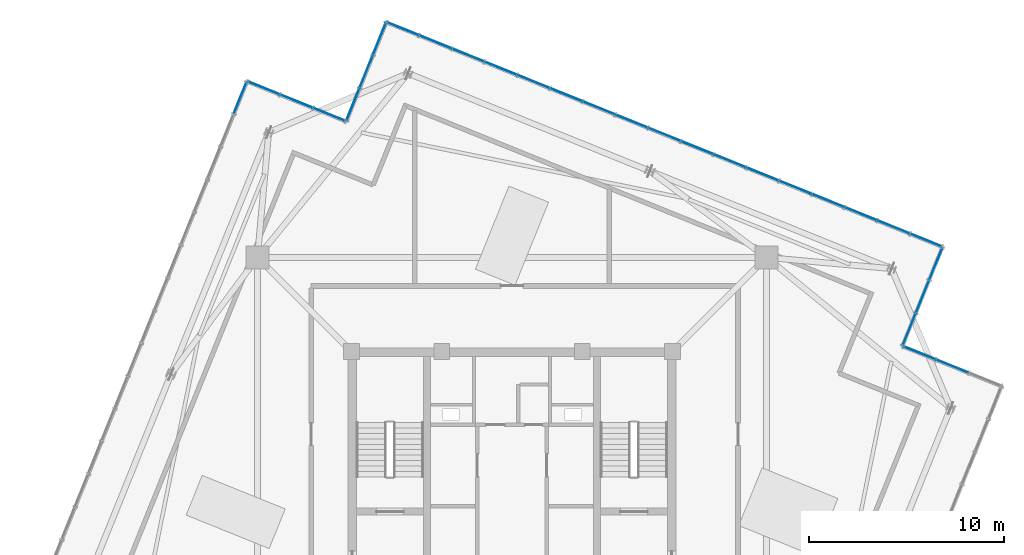
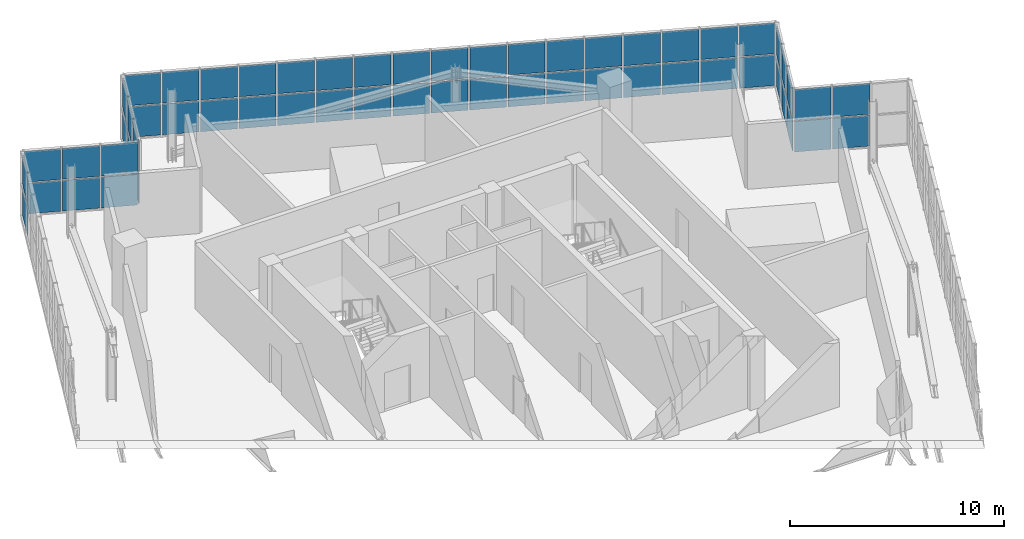
# One storey, part 20 of 26: 58 plates, 6 elements without a shape of their own.
"""IFC4 building model written with IfcOpenShell, lengths in metres."""

from ifc_helpers import new_model, si_unit, direction, frame, origin, origin_2d, place, context, subcontext, project, spatial, rectangle, extrude, source, transform, mapped, material, layer, layer_set, type_object, element, aggregate, save


model = new_model("IFC4")

# Units and contexts
model_context = context("Model", 3, precision=1e-05, world=origin(), true_north=direction((0.0, 1.0)))
body_context = subcontext(model_context, "Body", "Model", "MODEL_VIEW")
ifc_project = project(units=[si_unit("LENGTHUNIT", "METRE"), si_unit("AREAUNIT", "SQUARE_METRE"), si_unit("VOLUMEUNIT", "CUBIC_METRE"), si_unit("PLANEANGLEUNIT", "RADIAN"), si_unit("MASSUNIT", "GRAM", prefix="KILO"), si_unit("THERMODYNAMICTEMPERATUREUNIT", "KELVIN")], contexts=[model_context])

# Site, building, storey
site_placement = place(None, origin())
site = spatial("IfcSite", under=ifc_project, at=site_placement, CompositionType="ELEMENT")
building_placement = place(site_placement, origin())
building = spatial("IfcBuilding", under=site, at=building_placement, Name="Kosmvard Interchange Tower", CompositionType="ELEMENT")
storey_placement = place(building_placement, frame((0.0, 0.0, 329.60009765625)))
storey = spatial("IfcBuildingStorey", under=building, at=storey_placement, Name="L81", CompositionType="ELEMENT", Elevation=329.60009765625)

# Curtain wall, plates
ifc_material_1 = material(Name="Architectural anodised aluminium", Category="aluminium")
ifc_layer_1 = layer(ifc_material_1, 0.25, Name="Architectural anodised aluminium")
ifc_layer_set_1 = layer_set([ifc_layer_1], Name="Architectural anodised aluminium")
curtain_wall_type = type_object("IfcCurtainWallType", Name="CW-6 Illuminated Crown Lantern Curtain Wall", PredefinedType="NOTDEFINED", material=ifc_layer_set_1)
curtain_wall_1_placement = place(storey_placement, origin())
curtain_wall_1 = element("IfcCurtainWall", 1, at=curtain_wall_1_placement, inside=storey, type_object=curtain_wall_type, Name="L81 Crown Lantern Glazing Face 04", PredefinedType="NOTDEFINED")
ifc_material_2 = material(Name="Laminated acoustic lantern glazing", Category="glass")
ifc_layer_2 = layer(ifc_material_2, 0.035888671875, Name="Laminated acoustic lantern glazing")
ifc_layer_set_2 = layer_set([ifc_layer_2], Name="Laminated acoustic lantern glazing")
plate_type = type_object("IfcPlateType", Name="Lantern Diffused Illuminated Panel 36", PredefinedType="CURTAIN_PANEL", material=ifc_layer_set_2)
shared_shape_1 = source(origin(), body_context, "Body", "SweptSolid", [
    extrude(rectangle(XDim=1.694091796875, YDim=0.035888671875, at=origin_2d()), origin(), (0.0, 0.0, 1.0), 1.7451171875),
])
plate_1_placement = place(storey_placement, frame((21.2744140625, 13.967529296875, 0.06982421875), z_axis=(0.0, 0.0, 1.0), x_axis=(-0.927183858065, 0.374606584758, 0.0)))
plate_1 = element("IfcPlate", 2, at=plate_1_placement, type_object=plate_type, Name="CW-6 panel 1.1", PredefinedType="CURTAIN_PANEL", context=body_context, shape_type="MappedRepresentation", body=[
    mapped(shared_shape_1, transform((0.0, 0.0, 0.0), scale=1.0)),
])
plate_2_placement = place(storey_placement, frame((21.2744140625, 13.967529296875, 1.884765625), z_axis=(0.0, 0.0, 1.0), x_axis=(-0.927183858065, 0.374606584758, 0.0)))
plate_2 = element("IfcPlate", 3, at=plate_2_placement, type_object=plate_type, Name="CW-6 panel 1.2", PredefinedType="CURTAIN_PANEL", context=body_context, shape_type="MappedRepresentation", body=[
    mapped(shared_shape_1, transform((0.0, 0.0, 0.0), scale=1.0)),
])
plate_3_placement = place(storey_placement, frame((-5.600830078125, 24.825927734375, 0.06982421875), z_axis=(0.0, 0.0, 1.0), x_axis=(-0.927183858065, 0.374606584758, 0.0)))
plate_3 = element("IfcPlate", 4, at=plate_3_placement, type_object=plate_type, Name="CW-6 panel 17.1", PredefinedType="CURTAIN_PANEL", context=body_context, shape_type="MappedRepresentation", body=[
    mapped(shared_shape_1, transform((0.0, 0.0, 0.0), scale=1.0)),
])
plate_4_placement = place(storey_placement, frame((-5.600830078125, 24.825927734375, 1.884765625), z_axis=(0.0, 0.0, 1.0), x_axis=(-0.927183858065, 0.374606584758, 0.0)))
plate_4 = element("IfcPlate", 5, at=plate_4_placement, type_object=plate_type, Name="CW-6 panel 17.2", PredefinedType="CURTAIN_PANEL", context=body_context, shape_type="MappedRepresentation", body=[
    mapped(shared_shape_1, transform((0.0, 0.0, 0.0), scale=1.0)),
])

curtain_wall_2_placement = place(storey_placement, origin())
curtain_wall_2 = element("IfcCurtainWall", 6, at=curtain_wall_2_placement, inside=storey, type_object=curtain_wall_type, Name="L81 Crown Lantern Glazing Face 07", PredefinedType="NOTDEFINED")
plate_5_placement = place(storey_placement, frame((-13.967529296875, 21.2744140625, 0.06982421875), z_axis=(0.0, 0.0, 1.0), x_axis=(-0.374606584758, -0.927183858065, 0.0)))
plate_5 = element("IfcPlate", 7, at=plate_5_placement, type_object=plate_type, Name="CW-6 panel 1.1", PredefinedType="CURTAIN_PANEL", context=body_context, shape_type="MappedRepresentation", body=[
    mapped(shared_shape_1, transform((0.0, 0.0, 0.0), scale=1.0)),
])
plate_6_placement = place(storey_placement, frame((-13.967529296875, 21.2744140625, 1.884765625), z_axis=(0.0, 0.0, 1.0), x_axis=(-0.374606584758, -0.927183858065, 0.0)))
plate_6 = element("IfcPlate", 8, at=plate_6_placement, type_object=plate_type, Name="CW-6 panel 1.2", PredefinedType="CURTAIN_PANEL", context=body_context, shape_type="MappedRepresentation", body=[
    mapped(shared_shape_1, transform((0.0, 0.0, 0.0), scale=1.0)),
])
aggregate(curtain_wall_2, [plate_5, plate_6])

# Plate
shared_shape_2 = source(origin(), body_context, "Body", "SweptSolid", [
    extrude(rectangle(XDim=1.734130859375, YDim=0.035888671875, at=origin_2d()), origin(), (0.0, 0.0, 1.0), 1.7451171875),
])
plate_7_placement = place(storey_placement, frame((19.61083984375, 14.6396484375, 0.06982421875), z_axis=(0.0, 0.0, 1.0), x_axis=(-0.927183858065, 0.374606584758, 0.0)))
plate_7 = element("IfcPlate", 9, at=plate_7_placement, type_object=plate_type, Name="CW-6 panel 2.1", PredefinedType="CURTAIN_PANEL", context=body_context, shape_type="MappedRepresentation", body=[
    mapped(shared_shape_2, transform((0.0, 0.0, 0.0), scale=1.0)),
])

plate_8_placement = place(storey_placement, frame((19.61083984375, 14.6396484375, 1.884765625), z_axis=(0.0, 0.0, 1.0), x_axis=(-0.927183858065, 0.374606584758, 0.0)))
plate_8 = element("IfcPlate", 10, at=plate_8_placement, type_object=plate_type, Name="CW-6 panel 2.2", PredefinedType="CURTAIN_PANEL", context=body_context, shape_type="MappedRepresentation", body=[
    mapped(shared_shape_2, transform((0.0, 0.0, 0.0), scale=1.0)),
])

plate_9_placement = place(storey_placement, frame((17.928955078125, 15.319091796875, 0.06982421875), z_axis=(0.0, 0.0, 1.0), x_axis=(-0.927183858065, 0.374606584758, 0.0)))
plate_9 = element("IfcPlate", 11, at=plate_9_placement, type_object=plate_type, Name="CW-6 panel 3.1", PredefinedType="CURTAIN_PANEL", context=body_context, shape_type="MappedRepresentation", body=[
    mapped(shared_shape_2, transform((0.0, 0.0, 0.0), scale=1.0)),
])

plate_10_placement = place(storey_placement, frame((17.928955078125, 15.319091796875, 1.884765625), z_axis=(0.0, 0.0, 1.0), x_axis=(-0.927183858065, 0.374606584758, 0.0)))
plate_10 = element("IfcPlate", 12, at=plate_10_placement, type_object=plate_type, Name="CW-6 panel 3.2", PredefinedType="CURTAIN_PANEL", context=body_context, shape_type="MappedRepresentation", body=[
    mapped(shared_shape_2, transform((0.0, 0.0, 0.0), scale=1.0)),
])

plate_11_placement = place(storey_placement, frame((16.246826171875, 15.998779296875, 0.06982421875), z_axis=(0.0, 0.0, 1.0), x_axis=(-0.927183858065, 0.374606584758, 0.0)))
plate_11 = element("IfcPlate", 13, at=plate_11_placement, type_object=plate_type, Name="CW-6 panel 4.1", PredefinedType="CURTAIN_PANEL", context=body_context, shape_type="MappedRepresentation", body=[
    mapped(shared_shape_2, transform((0.0, 0.0, 0.0), scale=1.0)),
])

plate_12_placement = place(storey_placement, frame((16.246826171875, 15.998779296875, 1.884765625), z_axis=(0.0, 0.0, 1.0), x_axis=(-0.927183858065, 0.374606584758, 0.0)))
plate_12 = element("IfcPlate", 14, at=plate_12_placement, type_object=plate_type, Name="CW-6 panel 4.2", PredefinedType="CURTAIN_PANEL", context=body_context, shape_type="MappedRepresentation", body=[
    mapped(shared_shape_2, transform((0.0, 0.0, 0.0), scale=1.0)),
])

plate_13_placement = place(storey_placement, frame((14.56494140625, 16.678466796875, 0.06982421875), z_axis=(0.0, 0.0, 1.0), x_axis=(-0.927183858065, 0.374606584758, 0.0)))
plate_13 = element("IfcPlate", 15, at=plate_13_placement, type_object=plate_type, Name="CW-6 panel 5.1", PredefinedType="CURTAIN_PANEL", context=body_context, shape_type="MappedRepresentation", body=[
    mapped(shared_shape_2, transform((0.0, 0.0, 0.0), scale=1.0)),
])

plate_14_placement = place(storey_placement, frame((14.56494140625, 16.678466796875, 1.884765625), z_axis=(0.0, 0.0, 1.0), x_axis=(-0.927183858065, 0.374606584758, 0.0)))
plate_14 = element("IfcPlate", 16, at=plate_14_placement, type_object=plate_type, Name="CW-6 panel 5.2", PredefinedType="CURTAIN_PANEL", context=body_context, shape_type="MappedRepresentation", body=[
    mapped(shared_shape_2, transform((0.0, 0.0, 0.0), scale=1.0)),
])

plate_15_placement = place(storey_placement, frame((12.8828125, 17.35791015625, 0.06982421875), z_axis=(0.0, 0.0, 1.0), x_axis=(-0.927183858065, 0.374606584758, 0.0)))
plate_15 = element("IfcPlate", 17, at=plate_15_placement, type_object=plate_type, Name="CW-6 panel 6.1", PredefinedType="CURTAIN_PANEL", context=body_context, shape_type="MappedRepresentation", body=[
    mapped(shared_shape_2, transform((0.0, 0.0, 0.0), scale=1.0)),
])

plate_16_placement = place(storey_placement, frame((12.8828125, 17.35791015625, 1.884765625), z_axis=(0.0, 0.0, 1.0), x_axis=(-0.927183858065, 0.374606584758, 0.0)))
plate_16 = element("IfcPlate", 18, at=plate_16_placement, type_object=plate_type, Name="CW-6 panel 6.2", PredefinedType="CURTAIN_PANEL", context=body_context, shape_type="MappedRepresentation", body=[
    mapped(shared_shape_2, transform((0.0, 0.0, 0.0), scale=1.0)),
])

plate_17_placement = place(storey_placement, frame((11.200927734375, 18.03759765625, 0.06982421875), z_axis=(0.0, 0.0, 1.0), x_axis=(-0.927183858065, 0.374606584758, 0.0)))
plate_17 = element("IfcPlate", 19, at=plate_17_placement, type_object=plate_type, Name="CW-6 panel 7.1", PredefinedType="CURTAIN_PANEL", context=body_context, shape_type="MappedRepresentation", body=[
    mapped(shared_shape_2, transform((0.0, 0.0, 0.0), scale=1.0)),
])

plate_18_placement = place(storey_placement, frame((11.200927734375, 18.03759765625, 1.884765625), z_axis=(0.0, 0.0, 1.0), x_axis=(-0.927183858065, 0.374606584758, 0.0)))
plate_18 = element("IfcPlate", 20, at=plate_18_placement, type_object=plate_type, Name="CW-6 panel 7.2", PredefinedType="CURTAIN_PANEL", context=body_context, shape_type="MappedRepresentation", body=[
    mapped(shared_shape_2, transform((0.0, 0.0, 0.0), scale=1.0)),
])

plate_19_placement = place(storey_placement, frame((9.518798828125, 18.717041015625, 0.06982421875), z_axis=(0.0, 0.0, 1.0), x_axis=(-0.927183858065, 0.374606584758, 0.0)))
plate_19 = element("IfcPlate", 21, at=plate_19_placement, type_object=plate_type, Name="CW-6 panel 8.1", PredefinedType="CURTAIN_PANEL", context=body_context, shape_type="MappedRepresentation", body=[
    mapped(shared_shape_2, transform((0.0, 0.0, 0.0), scale=1.0)),
])

plate_20_placement = place(storey_placement, frame((9.518798828125, 18.717041015625, 1.884765625), z_axis=(0.0, 0.0, 1.0), x_axis=(-0.927183858065, 0.374606584758, 0.0)))
plate_20 = element("IfcPlate", 22, at=plate_20_placement, type_object=plate_type, Name="CW-6 panel 8.2", PredefinedType="CURTAIN_PANEL", context=body_context, shape_type="MappedRepresentation", body=[
    mapped(shared_shape_2, transform((0.0, 0.0, 0.0), scale=1.0)),
])

plate_21_placement = place(storey_placement, frame((7.836669921875, 19.396728515625, 0.06982421875), z_axis=(0.0, 0.0, 1.0), x_axis=(-0.927183858065, 0.374606584758, 0.0)))
plate_21 = element("IfcPlate", 23, at=plate_21_placement, type_object=plate_type, Name="CW-6 panel 9.1", PredefinedType="CURTAIN_PANEL", context=body_context, shape_type="MappedRepresentation", body=[
    mapped(shared_shape_2, transform((0.0, 0.0, 0.0), scale=1.0)),
])

plate_22_placement = place(storey_placement, frame((7.836669921875, 19.396728515625, 1.884765625), z_axis=(0.0, 0.0, 1.0), x_axis=(-0.927183858065, 0.374606584758, 0.0)))
plate_22 = element("IfcPlate", 24, at=plate_22_placement, type_object=plate_type, Name="CW-6 panel 9.2", PredefinedType="CURTAIN_PANEL", context=body_context, shape_type="MappedRepresentation", body=[
    mapped(shared_shape_2, transform((0.0, 0.0, 0.0), scale=1.0)),
])

plate_23_placement = place(storey_placement, frame((6.15478515625, 20.076171875, 0.06982421875), z_axis=(0.0, 0.0, 1.0), x_axis=(-0.927183858065, 0.374606584758, 0.0)))
plate_23 = element("IfcPlate", 25, at=plate_23_placement, type_object=plate_type, Name="CW-6 panel 10.1", PredefinedType="CURTAIN_PANEL", context=body_context, shape_type="MappedRepresentation", body=[
    mapped(shared_shape_2, transform((0.0, 0.0, 0.0), scale=1.0)),
])

plate_24_placement = place(storey_placement, frame((6.15478515625, 20.076171875, 1.884765625), z_axis=(0.0, 0.0, 1.0), x_axis=(-0.927183858065, 0.374606584758, 0.0)))
plate_24 = element("IfcPlate", 26, at=plate_24_placement, type_object=plate_type, Name="CW-6 panel 10.2", PredefinedType="CURTAIN_PANEL", context=body_context, shape_type="MappedRepresentation", body=[
    mapped(shared_shape_2, transform((0.0, 0.0, 0.0), scale=1.0)),
])

plate_25_placement = place(storey_placement, frame((4.47265625, 20.755859375, 0.06982421875), z_axis=(0.0, 0.0, 1.0), x_axis=(-0.927183858065, 0.374606584758, 0.0)))
plate_25 = element("IfcPlate", 27, at=plate_25_placement, type_object=plate_type, Name="CW-6 panel 11.1", PredefinedType="CURTAIN_PANEL", context=body_context, shape_type="MappedRepresentation", body=[
    mapped(shared_shape_2, transform((0.0, 0.0, 0.0), scale=1.0)),
])

plate_26_placement = place(storey_placement, frame((4.47265625, 20.755859375, 1.884765625), z_axis=(0.0, 0.0, 1.0), x_axis=(-0.927183858065, 0.374606584758, 0.0)))
plate_26 = element("IfcPlate", 28, at=plate_26_placement, type_object=plate_type, Name="CW-6 panel 11.2", PredefinedType="CURTAIN_PANEL", context=body_context, shape_type="MappedRepresentation", body=[
    mapped(shared_shape_2, transform((0.0, 0.0, 0.0), scale=1.0)),
])

plate_27_placement = place(storey_placement, frame((2.790771484375, 21.435546875, 0.06982421875), z_axis=(0.0, 0.0, 1.0), x_axis=(-0.927183858065, 0.374606584758, 0.0)))
plate_27 = element("IfcPlate", 29, at=plate_27_placement, type_object=plate_type, Name="CW-6 panel 12.1", PredefinedType="CURTAIN_PANEL", context=body_context, shape_type="MappedRepresentation", body=[
    mapped(shared_shape_2, transform((0.0, 0.0, 0.0), scale=1.0)),
])

plate_28_placement = place(storey_placement, frame((2.790771484375, 21.435546875, 1.884765625), z_axis=(0.0, 0.0, 1.0), x_axis=(-0.927183858065, 0.374606584758, 0.0)))
plate_28 = element("IfcPlate", 30, at=plate_28_placement, type_object=plate_type, Name="CW-6 panel 12.2", PredefinedType="CURTAIN_PANEL", context=body_context, shape_type="MappedRepresentation", body=[
    mapped(shared_shape_2, transform((0.0, 0.0, 0.0), scale=1.0)),
])

plate_29_placement = place(storey_placement, frame((1.108642578125, 22.114990234375, 0.06982421875), z_axis=(0.0, 0.0, 1.0), x_axis=(-0.927183858065, 0.374606584758, 0.0)))
plate_29 = element("IfcPlate", 31, at=plate_29_placement, type_object=plate_type, Name="CW-6 panel 13.1", PredefinedType="CURTAIN_PANEL", context=body_context, shape_type="MappedRepresentation", body=[
    mapped(shared_shape_2, transform((0.0, 0.0, 0.0), scale=1.0)),
])

plate_30_placement = place(storey_placement, frame((1.108642578125, 22.114990234375, 1.884765625), z_axis=(0.0, 0.0, 1.0), x_axis=(-0.927183858065, 0.374606584758, 0.0)))
plate_30 = element("IfcPlate", 32, at=plate_30_placement, type_object=plate_type, Name="CW-6 panel 13.2", PredefinedType="CURTAIN_PANEL", context=body_context, shape_type="MappedRepresentation", body=[
    mapped(shared_shape_2, transform((0.0, 0.0, 0.0), scale=1.0)),
])

plate_31_placement = place(storey_placement, frame((-0.5732421875, 22.794677734375, 0.06982421875), z_axis=(0.0, 0.0, 1.0), x_axis=(-0.927183858065, 0.374606584758, 0.0)))
plate_31 = element("IfcPlate", 33, at=plate_31_placement, type_object=plate_type, Name="CW-6 panel 14.1", PredefinedType="CURTAIN_PANEL", context=body_context, shape_type="MappedRepresentation", body=[
    mapped(shared_shape_2, transform((0.0, 0.0, 0.0), scale=1.0)),
])

plate_32_placement = place(storey_placement, frame((-0.5732421875, 22.794677734375, 1.884765625), z_axis=(0.0, 0.0, 1.0), x_axis=(-0.927183858065, 0.374606584758, 0.0)))
plate_32 = element("IfcPlate", 34, at=plate_32_placement, type_object=plate_type, Name="CW-6 panel 14.2", PredefinedType="CURTAIN_PANEL", context=body_context, shape_type="MappedRepresentation", body=[
    mapped(shared_shape_2, transform((0.0, 0.0, 0.0), scale=1.0)),
])

plate_33_placement = place(storey_placement, frame((-2.25537109375, 23.47412109375, 0.06982421875), z_axis=(0.0, 0.0, 1.0), x_axis=(-0.927183858065, 0.374606584758, 0.0)))
plate_33 = element("IfcPlate", 35, at=plate_33_placement, type_object=plate_type, Name="CW-6 panel 15.1", PredefinedType="CURTAIN_PANEL", context=body_context, shape_type="MappedRepresentation", body=[
    mapped(shared_shape_2, transform((0.0, 0.0, 0.0), scale=1.0)),
])

plate_34_placement = place(storey_placement, frame((-2.25537109375, 23.47412109375, 1.884765625), z_axis=(0.0, 0.0, 1.0), x_axis=(-0.927183858065, 0.374606584758, 0.0)))
plate_34 = element("IfcPlate", 36, at=plate_34_placement, type_object=plate_type, Name="CW-6 panel 15.2", PredefinedType="CURTAIN_PANEL", context=body_context, shape_type="MappedRepresentation", body=[
    mapped(shared_shape_2, transform((0.0, 0.0, 0.0), scale=1.0)),
])

plate_35_placement = place(storey_placement, frame((-3.937255859375, 24.15380859375, 0.06982421875), z_axis=(0.0, 0.0, 1.0), x_axis=(-0.927183858065, 0.374606584758, 0.0)))
plate_35 = element("IfcPlate", 37, at=plate_35_placement, type_object=plate_type, Name="CW-6 panel 16.1", PredefinedType="CURTAIN_PANEL", context=body_context, shape_type="MappedRepresentation", body=[
    mapped(shared_shape_2, transform((0.0, 0.0, 0.0), scale=1.0)),
])

plate_36_placement = place(storey_placement, frame((-3.937255859375, 24.15380859375, 1.884765625), z_axis=(0.0, 0.0, 1.0), x_axis=(-0.927183858065, 0.374606584758, 0.0)))
plate_36 = element("IfcPlate", 38, at=plate_36_placement, type_object=plate_type, Name="CW-6 panel 16.2", PredefinedType="CURTAIN_PANEL", context=body_context, shape_type="MappedRepresentation", body=[
    mapped(shared_shape_2, transform((0.0, 0.0, 0.0), scale=1.0)),
])

aggregate(curtain_wall_1, [plate_1, plate_2, plate_7, plate_8, plate_9, plate_10, plate_11, plate_12, plate_13, plate_14, plate_15, plate_16, plate_17, plate_18, plate_19, plate_20, plate_21, plate_22, plate_23, plate_24, plate_25, plate_26, plate_27, plate_28, plate_29, plate_30, plate_31, plate_32, plate_33, plate_34, plate_35, plate_36, plate_3, plate_4])

# Curtain wall, plates
curtain_wall_3_placement = place(storey_placement, origin())
curtain_wall_3 = element("IfcCurtainWall", 39, at=curtain_wall_3_placement, inside=storey, type_object=curtain_wall_type, Name="L81 Crown Lantern Glazing Face 02", PredefinedType="NOTDEFINED")
shared_shape_3 = source(origin(), body_context, "Body", "SweptSolid", [
    extrude(rectangle(XDim=1.71337890625, YDim=0.035888671875, at=origin_2d()), origin(), (0.0, 0.0, 1.0), 1.7451171875),
])
plate_37_placement = place(storey_placement, frame((20.942138671875, 8.169921875, 0.06982421875), z_axis=(0.0, 0.0, 1.0), x_axis=(-0.92718386612, 0.374606564822, 0.0)))
plate_37 = element("IfcPlate", 40, at=plate_37_placement, type_object=plate_type, Name="CW-6 panel 3.1", PredefinedType="CURTAIN_PANEL", context=body_context, shape_type="MappedRepresentation", body=[
    mapped(shared_shape_3, transform((0.0, 0.0, 0.0), scale=1.0)),
])
plate_38_placement = place(storey_placement, frame((20.942138671875, 8.169921875, 1.884765625), z_axis=(0.0, 0.0, 1.0), x_axis=(-0.92718386612, 0.374606564822, 0.0)))
plate_38 = element("IfcPlate", 41, at=plate_38_placement, type_object=plate_type, Name="CW-6 panel 3.2", PredefinedType="CURTAIN_PANEL", context=body_context, shape_type="MappedRepresentation", body=[
    mapped(shared_shape_3, transform((0.0, 0.0, 0.0), scale=1.0)),
])

curtain_wall_4_placement = place(storey_placement, origin())
curtain_wall_4 = element("IfcCurtainWall", 42, at=curtain_wall_4_placement, inside=storey, type_object=curtain_wall_type, Name="L81 Crown Lantern Glazing Face 03", PredefinedType="NOTDEFINED")
plate_39_placement = place(storey_placement, frame((20.424560546875, 9.38916015625, 0.06982421875), z_axis=(0.0, 0.0, 1.0), x_axis=(0.374606501678, 0.927183891631, 0.0)))
plate_39 = element("IfcPlate", 43, at=plate_39_placement, type_object=plate_type, Name="CW-6 panel 1.1", PredefinedType="CURTAIN_PANEL", context=body_context, shape_type="MappedRepresentation", body=[
    mapped(shared_shape_3, transform((0.0, 0.0, 0.0), scale=1.0)),
])
plate_40_placement = place(storey_placement, frame((20.424560546875, 9.38916015625, 1.884765625), z_axis=(0.0, 0.0, 1.0), x_axis=(0.374606501678, 0.927183891631, 0.0)))
plate_40 = element("IfcPlate", 44, at=plate_40_placement, type_object=plate_type, Name="CW-6 panel 1.2", PredefinedType="CURTAIN_PANEL", context=body_context, shape_type="MappedRepresentation", body=[
    mapped(shared_shape_3, transform((0.0, 0.0, 0.0), scale=1.0)),
])
plate_41_placement = place(storey_placement, frame((21.782958984375, 12.751708984375, 0.06982421875), z_axis=(0.0, 0.0, 1.0), x_axis=(0.374606501678, 0.927183891631, 0.0)))
plate_41 = element("IfcPlate", 45, at=plate_41_placement, type_object=plate_type, Name="CW-6 panel 3.1", PredefinedType="CURTAIN_PANEL", context=body_context, shape_type="MappedRepresentation", body=[
    mapped(shared_shape_3, transform((0.0, 0.0, 0.0), scale=1.0)),
])
plate_42_placement = place(storey_placement, frame((21.782958984375, 12.751708984375, 1.884765625), z_axis=(0.0, 0.0, 1.0), x_axis=(0.374606501678, 0.927183891631, 0.0)))
plate_42 = element("IfcPlate", 46, at=plate_42_placement, type_object=plate_type, Name="CW-6 panel 3.2", PredefinedType="CURTAIN_PANEL", context=body_context, shape_type="MappedRepresentation", body=[
    mapped(shared_shape_3, transform((0.0, 0.0, 0.0), scale=1.0)),
])

curtain_wall_5_placement = place(storey_placement, origin())
curtain_wall_5 = element("IfcCurtainWall", 47, at=curtain_wall_5_placement, inside=storey, type_object=curtain_wall_type, Name="L81 Crown Lantern Glazing Face 05", PredefinedType="NOTDEFINED")
plate_43_placement = place(storey_placement, frame((-6.811279296875, 24.3046875, 0.06982421875), z_axis=(0.0, 0.0, 1.0), x_axis=(-0.374606564822, -0.92718386612, 0.0)))
plate_43 = element("IfcPlate", 48, at=plate_43_placement, type_object=plate_type, Name="CW-6 panel 1.1", PredefinedType="CURTAIN_PANEL", context=body_context, shape_type="MappedRepresentation", body=[
    mapped(shared_shape_3, transform((0.0, 0.0, 0.0), scale=1.0)),
])
plate_44_placement = place(storey_placement, frame((-6.811279296875, 24.3046875, 1.884765625), z_axis=(0.0, 0.0, 1.0), x_axis=(-0.374606564822, -0.92718386612, 0.0)))
plate_44 = element("IfcPlate", 49, at=plate_44_placement, type_object=plate_type, Name="CW-6 panel 1.2", PredefinedType="CURTAIN_PANEL", context=body_context, shape_type="MappedRepresentation", body=[
    mapped(shared_shape_3, transform((0.0, 0.0, 0.0), scale=1.0)),
])
plate_45_placement = place(storey_placement, frame((-8.169921875, 20.942138671875, 0.06982421875), z_axis=(0.0, 0.0, 1.0), x_axis=(-0.374606564822, -0.92718386612, 0.0)))
plate_45 = element("IfcPlate", 50, at=plate_45_placement, type_object=plate_type, Name="CW-6 panel 3.1", PredefinedType="CURTAIN_PANEL", context=body_context, shape_type="MappedRepresentation", body=[
    mapped(shared_shape_3, transform((0.0, 0.0, 0.0), scale=1.0)),
])
plate_46_placement = place(storey_placement, frame((-8.169921875, 20.942138671875, 1.884765625), z_axis=(0.0, 0.0, 1.0), x_axis=(-0.374606564822, -0.92718386612, 0.0)))
plate_46 = element("IfcPlate", 51, at=plate_46_placement, type_object=plate_type, Name="CW-6 panel 3.2", PredefinedType="CURTAIN_PANEL", context=body_context, shape_type="MappedRepresentation", body=[
    mapped(shared_shape_3, transform((0.0, 0.0, 0.0), scale=1.0)),
])

curtain_wall_6_placement = place(storey_placement, origin())
curtain_wall_6 = element("IfcCurtainWall", 52, at=curtain_wall_6_placement, inside=storey, type_object=curtain_wall_type, Name="L81 Crown Lantern Glazing Face 06", PredefinedType="NOTDEFINED")
plate_47_placement = place(storey_placement, frame((-9.38916015625, 20.424560546875, 0.06982421875), z_axis=(0.0, 0.0, 1.0), x_axis=(-0.927183891631, 0.374606501678, 0.0)))
plate_47 = element("IfcPlate", 53, at=plate_47_placement, type_object=plate_type, Name="CW-6 panel 1.1", PredefinedType="CURTAIN_PANEL", context=body_context, shape_type="MappedRepresentation", body=[
    mapped(shared_shape_3, transform((0.0, 0.0, 0.0), scale=1.0)),
])
plate_48_placement = place(storey_placement, frame((-9.38916015625, 20.424560546875, 1.884765625), z_axis=(0.0, 0.0, 1.0), x_axis=(-0.927183891631, 0.374606501678, 0.0)))
plate_48 = element("IfcPlate", 54, at=plate_48_placement, type_object=plate_type, Name="CW-6 panel 1.2", PredefinedType="CURTAIN_PANEL", context=body_context, shape_type="MappedRepresentation", body=[
    mapped(shared_shape_3, transform((0.0, 0.0, 0.0), scale=1.0)),
])
plate_49_placement = place(storey_placement, frame((-12.751708984375, 21.782958984375, 0.06982421875), z_axis=(0.0, 0.0, 1.0), x_axis=(-0.927183891631, 0.374606501678, 0.0)))
plate_49 = element("IfcPlate", 55, at=plate_49_placement, type_object=plate_type, Name="CW-6 panel 3.1", PredefinedType="CURTAIN_PANEL", context=body_context, shape_type="MappedRepresentation", body=[
    mapped(shared_shape_3, transform((0.0, 0.0, 0.0), scale=1.0)),
])
plate_50_placement = place(storey_placement, frame((-12.751708984375, 21.782958984375, 1.884765625), z_axis=(0.0, 0.0, 1.0), x_axis=(-0.927183891631, 0.374606501678, 0.0)))
plate_50 = element("IfcPlate", 56, at=plate_50_placement, type_object=plate_type, Name="CW-6 panel 3.2", PredefinedType="CURTAIN_PANEL", context=body_context, shape_type="MappedRepresentation", body=[
    mapped(shared_shape_3, transform((0.0, 0.0, 0.0), scale=1.0)),
])

# Plate
shared_shape_4 = source(origin(), body_context, "Body", "SweptSolid", [
    extrude(rectangle(XDim=1.75341796875, YDim=0.035888671875, at=origin_2d()), origin(), (0.0, 0.0, 1.0), 1.7451171875),
])
plate_51_placement = place(storey_placement, frame((22.623291015625, 7.490478515625, 0.06982421875), z_axis=(0.0, 0.0, 1.0), x_axis=(-0.92718386612, 0.374606564822, 0.0)))
plate_51 = element("IfcPlate", 57, at=plate_51_placement, type_object=plate_type, Name="CW-6 panel 2.1", PredefinedType="CURTAIN_PANEL", context=body_context, shape_type="MappedRepresentation", body=[
    mapped(shared_shape_4, transform((0.0, 0.0, 0.0), scale=1.0)),
])

plate_52_placement = place(storey_placement, frame((22.623291015625, 7.490478515625, 1.884765625), z_axis=(0.0, 0.0, 1.0), x_axis=(-0.92718386612, 0.374606564822, 0.0)))
plate_52 = element("IfcPlate", 58, at=plate_52_placement, type_object=plate_type, Name="CW-6 panel 2.2", PredefinedType="CURTAIN_PANEL", context=body_context, shape_type="MappedRepresentation", body=[
    mapped(shared_shape_4, transform((0.0, 0.0, 0.0), scale=1.0)),
])

aggregate(curtain_wall_3, [plate_51, plate_52, plate_37, plate_38])

plate_53_placement = place(storey_placement, frame((21.103759765625, 11.070556640625, 0.06982421875), z_axis=(0.0, 0.0, 1.0), x_axis=(0.374606501678, 0.927183891631, 0.0)))
plate_53 = element("IfcPlate", 59, at=plate_53_placement, type_object=plate_type, Name="CW-6 panel 2.1", PredefinedType="CURTAIN_PANEL", context=body_context, shape_type="MappedRepresentation", body=[
    mapped(shared_shape_4, transform((0.0, 0.0, 0.0), scale=1.0)),
])

plate_54_placement = place(storey_placement, frame((21.103759765625, 11.070556640625, 1.884765625), z_axis=(0.0, 0.0, 1.0), x_axis=(0.374606501678, 0.927183891631, 0.0)))
plate_54 = element("IfcPlate", 60, at=plate_54_placement, type_object=plate_type, Name="CW-6 panel 2.2", PredefinedType="CURTAIN_PANEL", context=body_context, shape_type="MappedRepresentation", body=[
    mapped(shared_shape_4, transform((0.0, 0.0, 0.0), scale=1.0)),
])

aggregate(curtain_wall_4, [plate_39, plate_40, plate_53, plate_54, plate_41, plate_42])

plate_55_placement = place(storey_placement, frame((-7.490478515625, 22.623291015625, 0.06982421875), z_axis=(0.0, 0.0, 1.0), x_axis=(-0.374606564822, -0.92718386612, 0.0)))
plate_55 = element("IfcPlate", 61, at=plate_55_placement, type_object=plate_type, Name="CW-6 panel 2.1", PredefinedType="CURTAIN_PANEL", context=body_context, shape_type="MappedRepresentation", body=[
    mapped(shared_shape_4, transform((0.0, 0.0, 0.0), scale=1.0)),
])

plate_56_placement = place(storey_placement, frame((-7.490478515625, 22.623291015625, 1.884765625), z_axis=(0.0, 0.0, 1.0), x_axis=(-0.374606564822, -0.92718386612, 0.0)))
plate_56 = element("IfcPlate", 62, at=plate_56_placement, type_object=plate_type, Name="CW-6 panel 2.2", PredefinedType="CURTAIN_PANEL", context=body_context, shape_type="MappedRepresentation", body=[
    mapped(shared_shape_4, transform((0.0, 0.0, 0.0), scale=1.0)),
])

aggregate(curtain_wall_5, [plate_43, plate_44, plate_55, plate_56, plate_45, plate_46])

plate_57_placement = place(storey_placement, frame((-11.070556640625, 21.103759765625, 0.06982421875), z_axis=(0.0, 0.0, 1.0), x_axis=(-0.927183891631, 0.374606501678, 0.0)))
plate_57 = element("IfcPlate", 63, at=plate_57_placement, type_object=plate_type, Name="CW-6 panel 2.1", PredefinedType="CURTAIN_PANEL", context=body_context, shape_type="MappedRepresentation", body=[
    mapped(shared_shape_4, transform((0.0, 0.0, 0.0), scale=1.0)),
])

plate_58_placement = place(storey_placement, frame((-11.070556640625, 21.103759765625, 1.884765625), z_axis=(0.0, 0.0, 1.0), x_axis=(-0.927183891631, 0.374606501678, 0.0)))
plate_58 = element("IfcPlate", 64, at=plate_58_placement, type_object=plate_type, Name="CW-6 panel 2.2", PredefinedType="CURTAIN_PANEL", context=body_context, shape_type="MappedRepresentation", body=[
    mapped(shared_shape_4, transform((0.0, 0.0, 0.0), scale=1.0)),
])

aggregate(curtain_wall_6, [plate_47, plate_48, plate_57, plate_58, plate_49, plate_50])

save(model, "model.ifc")
